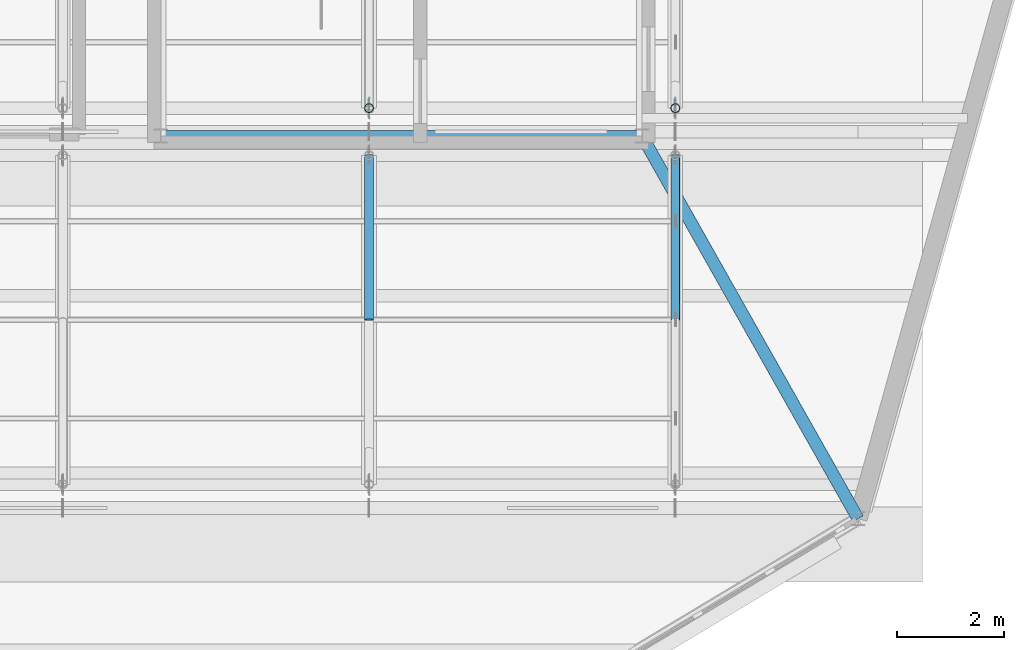
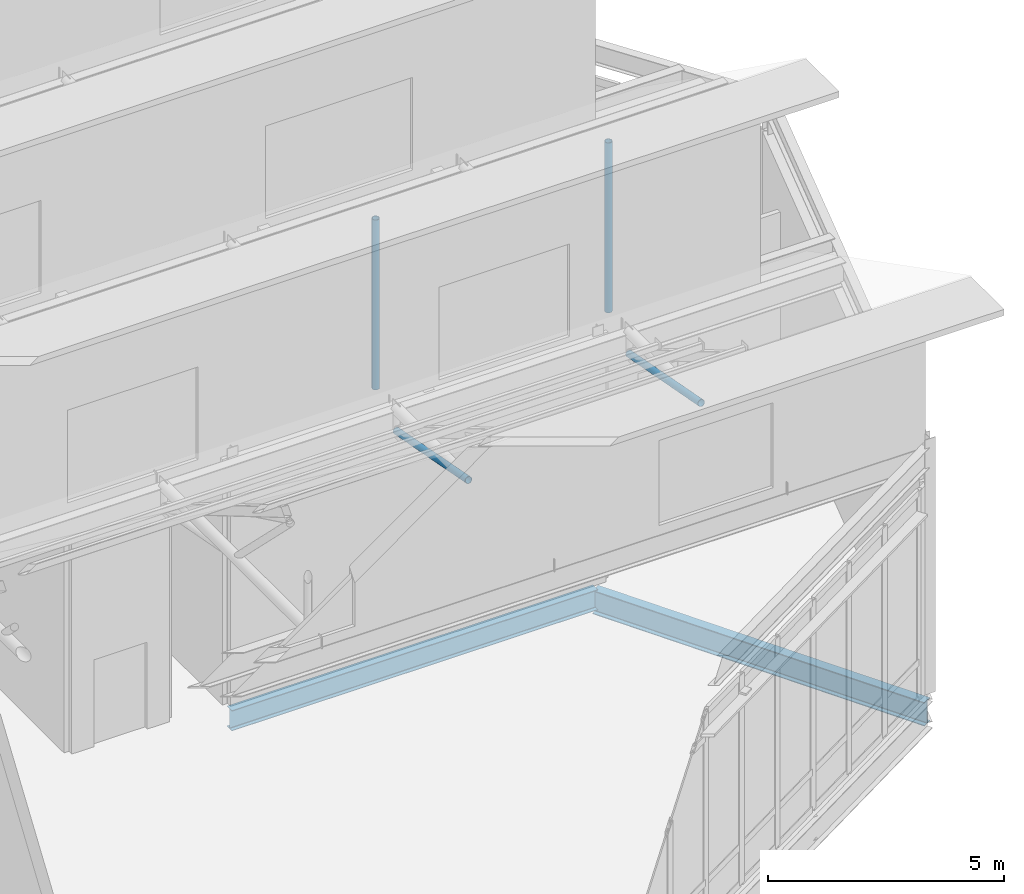
# One storey, part 22 of 55: 4 members, 2 beams.
"""IFC4 building model written with IfcOpenShell, lengths in metres."""

from ifc_helpers import new_model, si_unit, direction, frame, origin, origin_2d, place, context, subcontext, project, spatial, hollow_circle, i_section, extrude, material, material_profile, profile_set, type_object, element, save


model = new_model("IFC4")

# Units and contexts
model_context = context("Model", 3, precision=1e-05, world=origin(), true_north=direction((0.0, 1.0)))
body_context = subcontext(model_context, "Body", "Model", "MODEL_VIEW")
ifc_project = project(units=[si_unit("LENGTHUNIT", "METRE"), si_unit("AREAUNIT", "SQUARE_METRE"), si_unit("VOLUMEUNIT", "CUBIC_METRE"), si_unit("PLANEANGLEUNIT", "RADIAN"), si_unit("MASSUNIT", "GRAM", prefix="KILO")], contexts=[model_context])

# Site, building, storey
site_placement = place(None, origin())
site = spatial("IfcSite", under=ifc_project, at=site_placement, CompositionType="ELEMENT")
building_placement = place(site_placement, origin())
building = spatial("IfcBuilding", under=site, at=building_placement, Name="Tameran Prism Museum", CompositionType="ELEMENT")
storey_placement = place(building_placement, frame((0.0, 0.0, 28.800048828125)))
storey = spatial("IfcBuildingStorey", under=building, at=storey_placement, Name="L05", CompositionType="ELEMENT", Elevation=28.800048828125)

# Beams
ifc_material_1 = material(Name="Steel Grade 300PLUS (300 MPa)", Category="steel")
ifc_material_profile_1 = material_profile(ifc_material_1, i_section(OverallWidth=0.208984375, OverallDepth=0.528076171875, WebThickness=0.009521484375, FlangeThickness=0.01318359375, FilletRadius=0.013916015625, at=origin_2d()))
ifc_profile_set_1 = profile_set([ifc_material_profile_1])
beam_type_1 = type_object("IfcBeamType", Name="BM-SP530B", PredefinedType="SPANDREL", material=ifc_profile_set_1)
beam_1_placement = place(storey_placement, frame((126.52001953125, 79.419921875, -0.504150390625), z_axis=(1.0, 0.0, 0.0), x_axis=(0.0, 1.0, 0.0)))
element("IfcBeam", 1, at=beam_1_placement, inside=storey, type_object=beam_type_1, Name="Core Ring Beam CTB-1275", PredefinedType="SPANDREL", context=body_context, shape_type="SweptSolid", body=[
    extrude(i_section(OverallWidth=0.208984375, OverallDepth=0.528076171875, WebThickness=0.009521484375, FlangeThickness=0.01318359375, FilletRadius=0.013916015625, at=origin_2d()), origin(), (0.0, 0.0, 1.0), 8.9599609375),
])
ifc_material_2 = material(Name="Steel Grade 300PLUS (300 MPa)", Category="steel")
ifc_material_profile_2 = material_profile(ifc_material_2, i_section(OverallWidth=0.22900390625, OverallDepth=0.612060546875, WebThickness=0.011962890625, FlangeThickness=0.01953125, FilletRadius=0.013916015625, at=origin_2d()))
ifc_profile_set_2 = profile_set([ifc_material_profile_2])
beam_type_2 = type_object("IfcBeamType", Name="BM-UB610A", PredefinedType="BEAM", material=ifc_profile_set_2)
beam_2_placement = place(storey_placement, frame((135.47998046875, 79.419921875, -0.56005859375), z_axis=(0.491662661717, -0.870785752682, 0.0), x_axis=(0.870785752682, 0.491662661717, 0.0)))
element("IfcBeam", 2, at=beam_2_placement, inside=storey, type_object=beam_type_2, Name="Frame Tie Girder FG-1392", PredefinedType="BEAM", context=body_context, shape_type="SweptSolid", body=[
    extrude(i_section(OverallWidth=0.22900390625, OverallDepth=0.612060546875, WebThickness=0.011962890625, FlangeThickness=0.01953125, FilletRadius=0.013916015625, at=origin_2d()), origin(), (0.0, 0.0, 1.0), 8.17626953125),
])

# Members
ifc_material_3 = material(Name="Steel Grade C350L0 (350 MPa)", Category="steel")
ifc_material_profile_3 = material_profile(ifc_material_3, hollow_circle(Radius=0.084228515625, WallThickness=0.007080078125, at=origin_2d()))
ifc_profile_set_3 = profile_set([ifc_material_profile_3])
member_type = type_object("IfcMemberType", Name="MM-BR-CHS168", PredefinedType="BRACE", material=ifc_profile_set_3)
for number, where, z_axis, x_axis, name in (
    (3, (130.39990234375, 76.0, 6.385986328125), (0.0, 0.982674587879, -0.185339295177), (-1.0, 0.0, 0.0), "Sawtooth Brace STM-0020"),
    (4, (136.10009765625, 76.0, 6.385986328125), (0.0, 0.982674587879, -0.185339295177), (-1.0, 0.0, 0.0), "Sawtooth Brace STM-0027"),
):
    element("IfcMember", number, at=place(storey_placement, frame(where, z_axis=z_axis, x_axis=x_axis)), inside=storey, type_object=member_type, Name=name, PredefinedType="BRACE", context=body_context, shape_type="SweptSolid", body=[
        extrude(hollow_circle(Radius=0.084228515625, WallThickness=0.007080078125, at=origin_2d()), origin(), (0.0, 0.0, 1.0), 3.114013671875),
    ])
for number, where, z_axis, x_axis, name in (
    (5, (130.39990234375, 79.93994140625, 6.385986328125), (0.0, 0.0, 1.0), (1.0, 0.0, 0.0), "Sawtooth Brace STM-0066"),
    (6, (136.10009765625, 79.93994140625, 6.385986328125), (0.0, 0.0, 1.0), (1.0, 0.0, 0.0), "Sawtooth Brace STM-0073"),
):
    element("IfcMember", number, at=place(storey_placement, frame(where, z_axis=z_axis, x_axis=x_axis)), inside=storey, type_object=member_type, Name=name, PredefinedType="BRACE", context=body_context, shape_type="SweptSolid", body=[
        extrude(hollow_circle(Radius=0.084228515625, WallThickness=0.007080078125, at=origin_2d()), origin(), (0.0, 0.0, 1.0), 4.40185546875),
    ])

save(model, "model.ifc")
